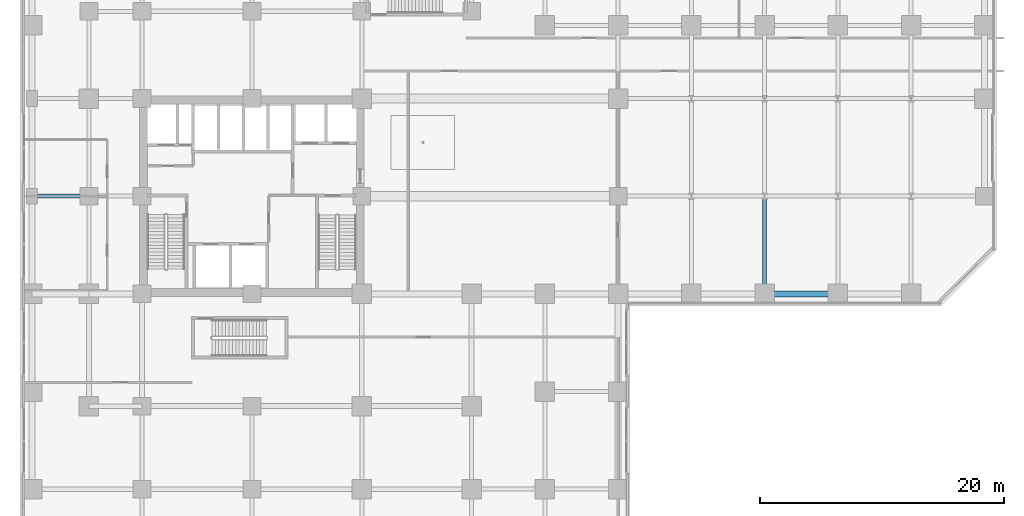
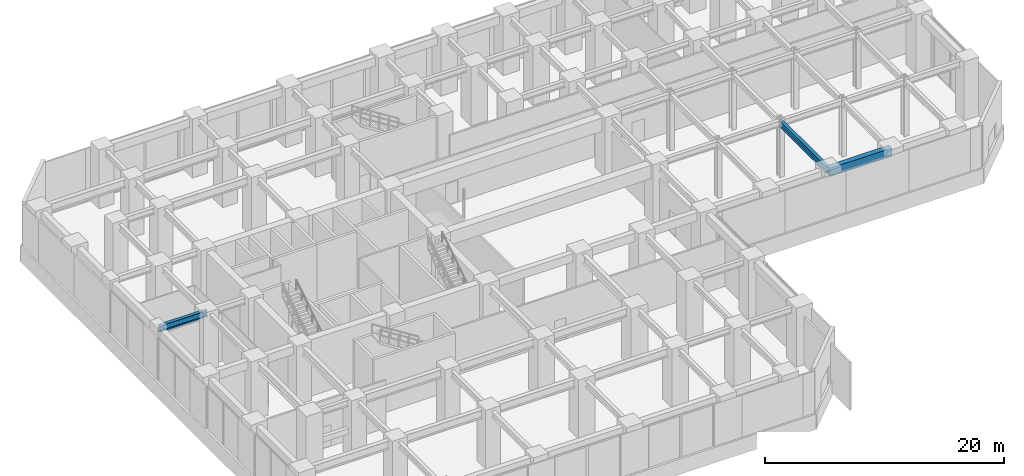
# One storey, part 14 of 34: 3 beams.
"""IFC4 building model written with IfcOpenShell, lengths in metres."""

import ifcopenshell
import ifcopenshell.guid

model = None  # the IFC model being written
_history = None  # IfcOwnerHistory: only IFC2X3 demands one
_inside = {}  # id of a spatial element -> (the spatial element, [elements in it])
_under = {}  # id of a project, library or spatial element -> (it, [spatial elements below it])
_declared = {}  # id of a project -> (the project, [libraries it declares])
_typed = {}  # id of a type object -> (the type object, [elements of that type])
_made_of = {}  # id of a material, layer set ... -> (it, [elements and type objects made of it])


def new_model(schema):
    """Start an empty IFC model of exactly this schema.

    Asked for "IFC4X3", IfcOpenShell would pick the latest addendum, in which some entities
    have other attributes; the version numbers below select the first issue.
    IFC2X3 requires an IfcOwnerHistory on every rooted entity: one is made here for all.
    """
    global model, _history
    if schema == "IFC4X3":
        model = ifcopenshell.file(schema_version=(4, 3, 0, 0))
    else:
        model = ifcopenshell.file(schema=schema)
    _inside.clear()
    _under.clear()
    _declared.clear()
    _typed.clear()
    _made_of.clear()
    _history = None
    if model.schema == "IFC2X3":
        org = make("IfcOrganization", Name="unknown")
        user = make(
            "IfcPersonAndOrganization",
            ThePerson=make("IfcPerson", FamilyName="unknown"),
            TheOrganization=org,
        )
        app = make(
            "IfcApplication",
            ApplicationDeveloper=org,
            Version="unknown",
            ApplicationFullName="unknown",
            ApplicationIdentifier="unknown",
        )
        _history = make(
            "IfcOwnerHistory",
            OwningUser=user,
            OwningApplication=app,
            ChangeAction="ADDED",
            CreationDate=0,
        )
    return model


def make(cls, **values):
    """One entity of the class cls with the attributes given. An attribute that is None is left unset."""
    return model.create_entity(
        cls, **{name: value for name, value in values.items() if value is not None}
    )


def rooted(cls, **values):
    """An entity with a GlobalId (a new one), such as an element, a storey or a relation."""
    return make(cls, GlobalId=ifcopenshell.guid.new(), OwnerHistory=_history, **values)


def si_unit(unit_type, name, prefix=None):
    """IfcSIUnit, for example si_unit("LENGTHUNIT", "METRE", prefix="MILLI")."""
    return make("IfcSIUnit", UnitType=unit_type, Prefix=prefix, Name=name)


def assignment(units):
    """IfcUnitAssignment: the units of a project."""
    return None if units is None else make("IfcUnitAssignment", Units=units)


def point(xyz):
    """IfcCartesianPoint."""
    return None if xyz is None else make("IfcCartesianPoint", Coordinates=xyz)


def direction(xyz):
    """IfcDirection."""
    return None if xyz is None else make("IfcDirection", DirectionRatios=xyz)


def frame(location, z_axis=None, x_axis=None):
    """IfcAxis2Placement3D, a coordinate frame: its origin and axes. An axis left out is left unset."""
    return make(
        "IfcAxis2Placement3D",
        Location=point(location),
        Axis=direction(z_axis),
        RefDirection=direction(x_axis),
    )


def frame_2d(location, x_axis=None):
    """IfcAxis2Placement2D, a coordinate frame in the plane: its origin and x axis."""
    return make(
        "IfcAxis2Placement2D", Location=point(location), RefDirection=direction(x_axis)
    )


def origin():
    """The frame at (0, 0, 0) with its axes left unset."""
    return frame((0.0, 0.0, 0.0))


def origin_2d():
    """The frame at (0, 0) in the plane with its x axis left unset."""
    return frame_2d((0.0, 0.0))


def place(relative_to, where):
    """IfcLocalPlacement: puts the frame where relative to a parent placement (None: the world)."""
    return make(
        "IfcLocalPlacement", PlacementRelTo=relative_to, RelativePlacement=where
    )


def context(
    kind, dimensions, precision=None, world=None, true_north=None, identifier=None
):
    """IfcGeometricRepresentationContext, for example the 3D "Model" context."""
    return make(
        "IfcGeometricRepresentationContext",
        ContextIdentifier=identifier,
        ContextType=kind,
        CoordinateSpaceDimension=dimensions,
        Precision=precision,
        WorldCoordinateSystem=world,
        TrueNorth=true_north,
    )


def subcontext(parent, identifier, kind, view, scale=None):
    """IfcGeometricRepresentationSubContext, for example "Body" below "Model"."""
    return make(
        "IfcGeometricRepresentationSubContext",
        ContextIdentifier=identifier,
        ContextType=kind,
        ParentContext=parent,
        TargetScale=scale,
        TargetView=view,
    )


def project(units=None, contexts=None):
    """IfcProject with its units and contexts."""
    return rooted(
        "IfcProject",
        Name="project",
        RepresentationContexts=contexts,
        UnitsInContext=assignment(units),
    )


def spatial(cls, under=None, at=None, **own):
    """A site, building, storey or space (cls), placed at a placement, below another one or the project."""
    s = rooted(cls, ObjectPlacement=at, **own)
    if under is not None:
        _under.setdefault(under.id(), (under, []))[1].append(s)
    return s


def profile(cls, at=None, kind="AREA", **sizes):
    """A parametric profile (cls). Its sizes go by their IFC names, for example OverallWidth=200.0."""
    return make(cls, ProfileType=kind, Position=at, **sizes)


def rectangle(**sizes):
    """IfcRectangleProfileDef."""
    return profile("IfcRectangleProfileDef", **sizes)


def i_section(**sizes):
    """IfcIShapeProfileDef."""
    return profile("IfcIShapeProfileDef", **sizes)


def extrude(swept, where, along, depth):
    """IfcExtrudedAreaSolid: the profile swept, set in the frame where, extruded along a direction by depth."""
    return make(
        "IfcExtrudedAreaSolid",
        SweptArea=swept,
        Position=where,
        ExtrudedDirection=direction(along),
        Depth=depth,
    )


def shape(context_of_items, identifier, shape_type, items):
    """IfcShapeRepresentation: the items that make up one representation, for example the "Body"."""
    return make(
        "IfcShapeRepresentation",
        ContextOfItems=context_of_items,
        RepresentationIdentifier=identifier,
        RepresentationType=shape_type,
        Items=items,
    )


def source(mapping_origin, context_of_items, identifier, shape_type, items):
    """IfcRepresentationMap: a shape defined once, which mapped items show again and again."""
    return make(
        "IfcRepresentationMap",
        MappingOrigin=mapping_origin,
        MappedRepresentation=shape(context_of_items, identifier, shape_type, items),
    )


def transform(
    local_origin,
    x_axis=None,
    y_axis=None,
    z_axis=None,
    scale=None,
    scale2=None,
    scale3=None,
    uniform=True,
):
    """IfcCartesianTransformationOperator3D, or its non-uniform kind. x_axis, y_axis, z_axis: its Axis1, 2, 3."""
    if uniform:
        return make(
            "IfcCartesianTransformationOperator3D",
            Axis1=direction(x_axis),
            Axis2=direction(y_axis),
            LocalOrigin=point(local_origin),
            Scale=scale,
            Axis3=direction(z_axis),
        )
    return make(
        "IfcCartesianTransformationOperator3DnonUniform",
        Axis1=direction(x_axis),
        Axis2=direction(y_axis),
        LocalOrigin=point(local_origin),
        Scale=scale,
        Axis3=direction(z_axis),
        Scale2=scale2,
        Scale3=scale3,
    )


def mapped(mapping_source, mapping_target):
    """IfcMappedItem: shows the shape of a source again, moved by a transform."""
    return make(
        "IfcMappedItem", MappingSource=mapping_source, MappingTarget=mapping_target
    )


def material(Name=None, Category=None):
    """IfcMaterial."""
    return make("IfcMaterial", Name=Name, Category=Category)


def material_profile(
    of_material, cross_section, Name=None, Category=None, Priority=None
):
    """IfcMaterialProfile: a cross section and its material."""
    return make(
        "IfcMaterialProfile",
        Name=Name,
        Material=of_material,
        Profile=cross_section,
        Priority=Priority,
        Category=Category,
    )


def profile_set(profiles, Name=None, composite=None):
    """IfcMaterialProfileSet."""
    return make(
        "IfcMaterialProfileSet",
        Name=Name,
        MaterialProfiles=profiles,
        CompositeProfile=composite,
    )


def made_of(thing, what):
    """Note that an element or type object is made of a material, layer set ...; save() writes the relation."""
    if what is not None:
        _made_of.setdefault(what.id(), (what, []))[1].append(thing)
    return thing


def type_object(cls, material=None, **own):
    """A type object (cls), such as IfcWallType, which elements share."""
    return made_of(rooted(cls, **own), material)


def element(
    cls,
    number,
    at=None,
    inside=None,
    cuts=None,
    type_object=None,
    material=None,
    context=None,
    identifier="Body",
    shape_type=None,
    held_by="IfcProductDefinitionShape",
    body=None,
    shapes=None,
    **own,
):
    """One element of the class cls, such as IfcWall. Its Tag is "e" and its number.

    at: its placement. inside: the storey or other place that contains it. cuts: it is an
    opening in that element (IfcRelVoidsElement). A single representation is given by context,
    identifier, shape_type and body (its items); several are given by shapes. held_by: the class
    of the entity that holds the representations. save() writes the other relations.
    """
    e = rooted(cls, Tag="e%d" % number, ObjectPlacement=at, **own)
    if body is not None:
        shapes = [shape(context, identifier, shape_type, body)]
    if shapes is not None:
        e.Representation = make(held_by, Representations=shapes)
    if inside is not None:
        _inside.setdefault(inside.id(), (inside, []))[1].append(e)
    if cuts is not None:
        rooted(
            "IfcRelVoidsElement", RelatingBuildingElement=cuts, RelatedOpeningElement=e
        )
    if type_object is not None:
        _typed.setdefault(type_object.id(), (type_object, []))[1].append(e)
    return made_of(e, material)


def aggregate(whole, parts):
    """IfcRelAggregates: a whole, such as a stair, and the parts it consists of."""
    return rooted("IfcRelAggregates", RelatingObject=whole, RelatedObjects=parts)


def save(model, path):
    """Write the relations noted so far, then the file.

    IfcRelAggregates (storeys below a building ...), IfcRelContainedInSpatialStructure (elements
    in a storey), IfcRelDefinesByType, IfcRelAssociatesMaterial and IfcRelDeclares: one each for
    every whole, place, type object, material and project.
    """
    for whole, parts in _under.values():
        aggregate(whole, parts)
    for where, things in _inside.values():
        rooted(
            "IfcRelContainedInSpatialStructure",
            RelatedElements=things,
            RelatingStructure=where,
        )
    for kind, things in _typed.values():
        rooted("IfcRelDefinesByType", RelatedObjects=things, RelatingType=kind)
    for what, things in _made_of.values():
        rooted("IfcRelAssociatesMaterial", RelatedObjects=things, RelatingMaterial=what)
    for by, libraries in _declared.values():
        rooted("IfcRelDeclares", RelatingContext=by, RelatedDefinitions=libraries)
    model.write(path)


model = new_model("IFC4")

# Units and contexts
model_context = context("Model", 3, precision=1e-05, world=origin(), true_north=direction((0.0, 1.0)))
body_context = subcontext(model_context, "Body", "Model", "MODEL_VIEW")
ifc_project = project(units=[si_unit("LENGTHUNIT", "METRE"), si_unit("AREAUNIT", "SQUARE_METRE"), si_unit("VOLUMEUNIT", "CUBIC_METRE"), si_unit("PLANEANGLEUNIT", "RADIAN"), si_unit("MASSUNIT", "GRAM", prefix="KILO")], contexts=[model_context])

# Site, building, storey
site_placement = place(None, origin())
site = spatial("IfcSite", under=ifc_project, at=site_placement, CompositionType="ELEMENT")
building_placement = place(site_placement, origin())
building = spatial("IfcBuilding", under=site, at=building_placement, Name="Torre Montelarca", CompositionType="ELEMENT")
storey_placement = place(building_placement, frame((0.0, 0.0, 6.0)))
storey = spatial("IfcBuildingStorey", under=building, at=storey_placement, Name="L02", CompositionType="ELEMENT", Elevation=6.0)

# Beams
ifc_material_1 = material(Name="Concrete C55/67", Category="concrete")
ifc_material_profile_1 = material_profile(ifc_material_1, rectangle(XDim=0.5, YDim=0.85009765625, at=origin_2d()), Name="RCB500X850", Category="concrete")
ifc_profile_set_1 = profile_set([ifc_material_profile_1], Name="Concrete C55/67")
beam_type_1 = type_object("IfcBeamType", Name="BM-SP-RC850-EXT", PredefinedType="SPANDREL", material=ifc_profile_set_1)
shared_shape_1 = source(origin(), body_context, "Body", "SweptSolid", [
    extrude(rectangle(XDim=0.5, YDim=0.85009765625, at=origin_2d()), origin(), (0.0, 0.0, 1.0), 6.0),
])
beam_1_placement = place(storey_placement, frame((60.0, 24.0, 5.31494140625), z_axis=(1.0, 0.0, 0.0), x_axis=(0.0, 1.0, 0.0)))
element("IfcBeam", 1, at=beam_1_placement, inside=storey, type_object=beam_type_1, Name="L02 Grid Girder X 60.0-66.0 at Y=24.0", PredefinedType="SPANDREL", context=body_context, shape_type="MappedRepresentation", body=[
    mapped(shared_shape_1, transform((0.0, 0.0, 0.0), scale=1.0)),
])
ifc_material_2 = material(Name="Steel ASTM A992 Grade 50", Category="steel")
ifc_material_profile_2 = material_profile(ifc_material_2, i_section(OverallWidth=0.326904296875, OverallDepth=0.6220703125, WebThickness=0.015380859375, FlangeThickness=0.0244140625, FilletRadius=0.014892578125, at=origin_2d()), Name="W610X195", Category="steel")
ifc_profile_set_2 = profile_set([ifc_material_profile_2], Name="Steel ASTM A992 Grade 50")
beam_type_2 = type_object("IfcBeamType", Name="BM-G-W610H", PredefinedType="BEAM", material=ifc_profile_set_2)
shared_shape_2 = source(origin(), body_context, "Body", "SweptSolid", [
    extrude(i_section(OverallWidth=0.326904296875, OverallDepth=0.6220703125, WebThickness=0.015380859375, FlangeThickness=0.0244140625, FilletRadius=0.014892578125, at=origin_2d()), origin(), (0.0, 0.0, 1.0), 4.64990234375),
])
beam_2_placement = place(storey_placement, frame((0.0, 32.0, 5.428955078125), z_axis=(1.0, 0.0, 0.0), x_axis=(0.0, 1.0, 0.0)))
element("IfcBeam", 2, at=beam_2_placement, inside=storey, type_object=beam_type_2, Name="L02 Grid Girder X 0.0-4.7 at Y=32.0", PredefinedType="BEAM", context=body_context, shape_type="MappedRepresentation", body=[
    mapped(shared_shape_2, transform((0.0, 0.0, 0.0), scale=1.0)),
])
shared_shape_3 = source(origin(), body_context, "Body", "SweptSolid", [
    extrude(i_section(OverallWidth=0.326904296875, OverallDepth=0.6220703125, WebThickness=0.015380859375, FlangeThickness=0.0244140625, FilletRadius=0.014892578125, at=origin_2d()), origin(), (0.0, 0.0, 1.0), 8.0),
])
beam_3_placement = place(storey_placement, frame((60.0, 24.0, 5.428955078125), z_axis=(0.0, 1.0, 0.0), x_axis=(-1.0, 0.0, 0.0)))
element("IfcBeam", 3, at=beam_3_placement, inside=storey, type_object=beam_type_2, Name="L02 Grid Girder Y 24.0-32.0 at X=60.0", PredefinedType="BEAM", context=body_context, shape_type="MappedRepresentation", body=[
    mapped(shared_shape_3, transform((0.0, 0.0, 0.0), scale=1.0)),
])

save(model, "model.ifc")
